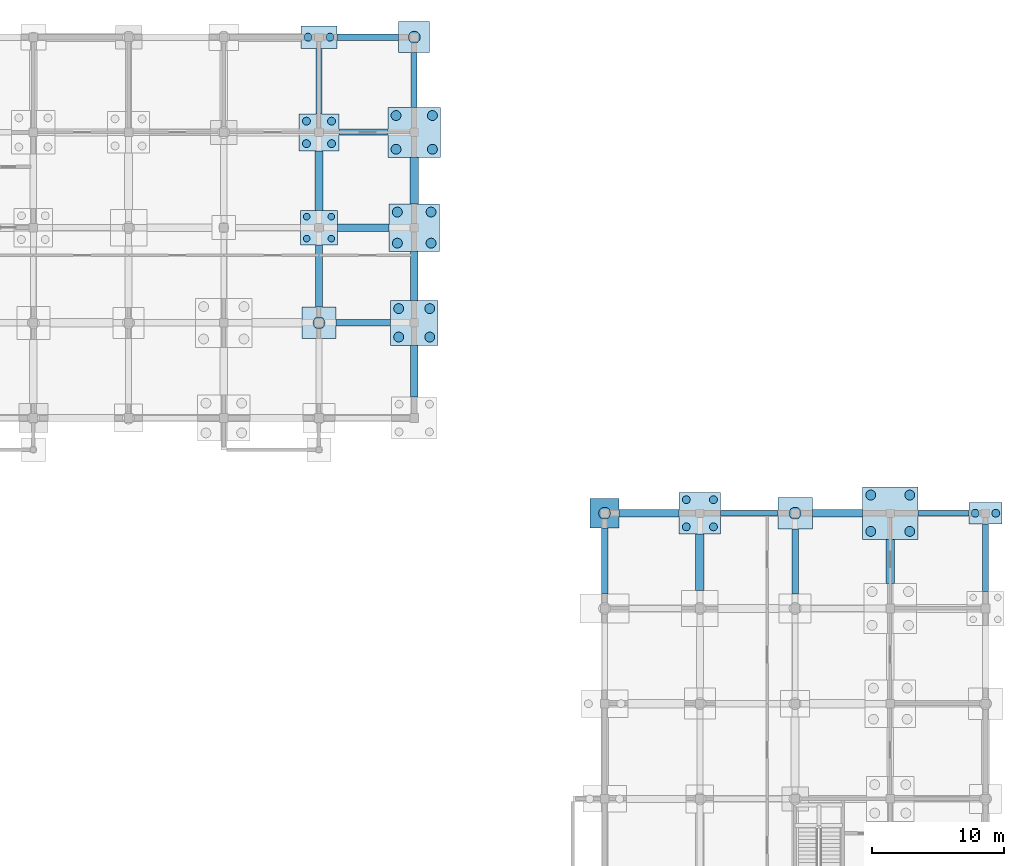
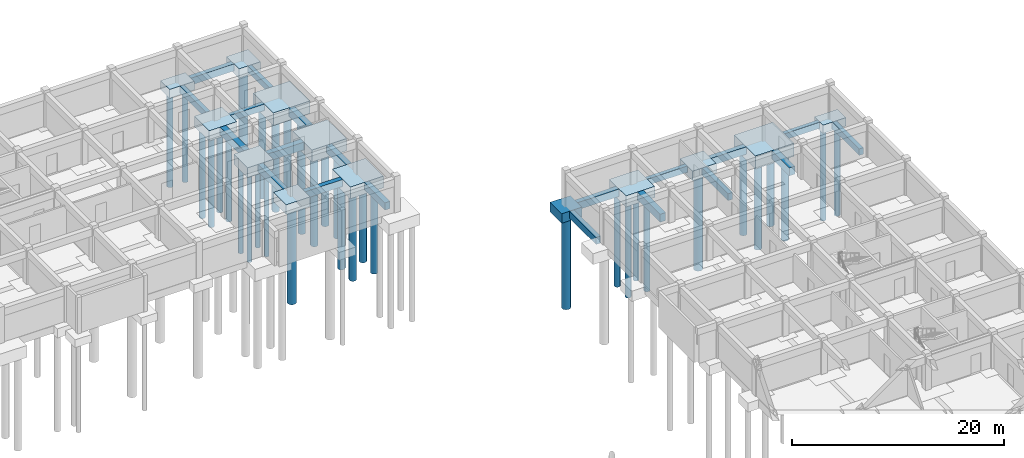
# One storey, part 16 of 38: 36 piles, 33 footings.
"""IFC4 building model written with IfcOpenShell, lengths in metres."""

from ifc_helpers import new_model, si_unit, direction, frame, origin, origin_2d, place, context, subcontext, project, spatial, polyline, rectangle, circle, outline, extrude, material, material_profile, profile_set, type_object, element, save


model = new_model("IFC4")

# Units and contexts
model_context = context("Model", 3, precision=1e-05, world=origin(), true_north=direction((0.0, 1.0)))
body_context = subcontext(model_context, "Body", "Model", "MODEL_VIEW")
ifc_project = project(units=[si_unit("LENGTHUNIT", "METRE"), si_unit("AREAUNIT", "SQUARE_METRE"), si_unit("VOLUMEUNIT", "CUBIC_METRE"), si_unit("PLANEANGLEUNIT", "RADIAN"), si_unit("MASSUNIT", "GRAM", prefix="KILO"), si_unit("THERMODYNAMICTEMPERATUREUNIT", "KELVIN"), si_unit("POWERUNIT", "WATT")], contexts=[model_context])

# Site, building, storey
site_placement = place(None, origin())
site = spatial("IfcSite", under=ifc_project, at=site_placement, CompositionType="ELEMENT")
building_placement = place(site_placement, origin())
building = spatial("IfcBuilding", under=site, at=building_placement, Name="Tavuni Mirador Residences", CompositionType="ELEMENT")
storey_placement = place(building_placement, frame((0.0, 0.0, -4.199951171875)))
storey = spatial("IfcBuildingStorey", under=building, at=storey_placement, Name="B1", CompositionType="ELEMENT", Elevation=-4.199951171875)

# Footings
ifc_material = material(Name="In-situ concrete C35/45", Category="concrete")
footing_type_1 = type_object("IfcFootingType", Name="FT-GB01", PredefinedType="FOOTING_BEAM", material=ifc_material)
footing_1_placement = place(storey_placement, frame((0.0, 0.0, -0.719970703125)))
element("IfcFooting", 1, at=footing_1_placement, inside=storey, type_object=footing_type_1, Name="GBX-BLK-C-08-03", PredefinedType="FOOTING_BEAM", context=body_context, shape_type="SweptSolid", body=[
    extrude(outline(polyline([(69.89990234375, 165.389892578125), (73.60009765625, 165.389892578125), (73.60009765625, 165.81005859375), (69.89990234375, 165.81005859375), (69.89990234375, 165.389892578125)])), origin(), (0.0, 0.0, 1.0), 0.719970703125),
])
footing_2_placement = place(storey_placement, frame((0.0, 0.0, -0.719970703125)))
element("IfcFooting", 2, at=footing_2_placement, inside=storey, type_object=footing_type_1, Name="GBY-BLK-C-09-03", PredefinedType="FOOTING_BEAM", context=body_context, shape_type="SweptSolid", body=[
    extrude(outline(polyline([(75.389892578125, 167.5), (75.81005859375, 167.5), (75.81005859375, 171.625), (75.389892578125, 171.625), (75.389892578125, 167.5)])), origin(), (0.0, 0.0, 1.0), 0.719970703125),
])
footing_3_placement = place(storey_placement, frame((0.0, 0.0, -0.719970703125)))
element("IfcFooting", 3, at=footing_3_placement, inside=storey, type_object=footing_type_1, Name="GBX-BLK-D-01-07", PredefinedType="FOOTING_BEAM", context=body_context, shape_type="SweptSolid", body=[
    extrude(outline(polyline([(98.77490234375, 136.590087890625), (103.10009765625, 136.590087890625), (103.10009765625, 137.010009765625), (98.77490234375, 137.010009765625), (98.77490234375, 136.590087890625)])), origin(), (0.0, 0.0, 1.0), 0.719970703125),
])
footing_4_placement = place(storey_placement, frame((0.0, 0.0, -0.719970703125)))
element("IfcFooting", 4, at=footing_4_placement, inside=storey, type_object=footing_type_1, Name="GBX-BLK-D-03-07", PredefinedType="FOOTING_BEAM", context=body_context, shape_type="SweptSolid", body=[
    extrude(outline(polyline([(113.699951171875, 136.590087890625), (117.550048828125, 136.590087890625), (117.550048828125, 137.010009765625), (113.699951171875, 137.010009765625), (113.699951171875, 136.590087890625)])), origin(), (0.0, 0.0, 1.0), 0.719970703125),
])
footing_type_2 = type_object("IfcFootingType", Name="FT-GB02", PredefinedType="FOOTING_BEAM", material=ifc_material)
footing_5_placement = place(storey_placement, frame((0.0, 0.0, -0.760009765625)))
element("IfcFooting", 5, at=footing_5_placement, inside=storey, type_object=footing_type_2, Name="GBY-BLK-C-08-03", PredefinedType="FOOTING_BEAM", context=body_context, shape_type="SweptSolid", body=[
    extrude(outline(polyline([(68.169921875, 167.0), (68.6298828125, 167.0), (68.6298828125, 171.949951171875), (68.169921875, 171.949951171875), (68.169921875, 167.0)])), origin(), (0.0, 0.0, 1.0), 0.760009765625),
])
footing_6_placement = place(storey_placement, frame((0.0, 0.0, -0.760009765625)))
element("IfcFooting", 6, at=footing_6_placement, inside=storey, type_object=footing_type_2, Name="GBY-BLK-D-04-06", PredefinedType="FOOTING_BEAM", context=body_context, shape_type="SweptSolid", body=[
    extrude(outline(polyline([(118.570068359375, 130.89990234375), (119.030029296875, 130.89990234375), (119.030029296875, 136.0), (118.570068359375, 136.0), (118.570068359375, 130.89990234375)])), origin(), (0.0, 0.0, 1.0), 0.760009765625),
])
footing_type_3 = type_object("IfcFootingType", Name="FT-GB03", PredefinedType="FOOTING_BEAM", material=ifc_material)
footing_7_placement = place(storey_placement, frame((0.0, 0.0, -0.800048828125)))
element("IfcFooting", 7, at=footing_7_placement, inside=storey, type_object=footing_type_3, Name="GBX-BLK-C-08-01", PredefinedType="FOOTING_BEAM", context=body_context, shape_type="SweptSolid", body=[
    extrude(outline(polyline([(69.699951171875, 150.949951171875), (73.800048828125, 150.949951171875), (73.800048828125, 151.449951171875), (69.699951171875, 151.449951171875), (69.699951171875, 150.949951171875)])), origin(), (0.0, 0.0, 1.0), 0.800048828125),
])
footing_8_placement = place(storey_placement, frame((0.0, 0.0, -0.800048828125)))
element("IfcFooting", 8, at=footing_8_placement, inside=storey, type_object=footing_type_3, Name="GBX-BLK-C-08-04", PredefinedType="FOOTING_BEAM", context=body_context, shape_type="SweptSolid", body=[
    extrude(outline(polyline([(69.75, 172.550048828125), (74.425048828125, 172.550048828125), (74.425048828125, 173.050048828125), (69.75, 173.050048828125), (69.75, 172.550048828125)])), origin(), (0.0, 0.0, 1.0), 0.800048828125),
])
footing_9_placement = place(storey_placement, frame((0.0, 0.0, -0.800048828125)))
element("IfcFooting", 9, at=footing_9_placement, inside=storey, type_object=footing_type_3, Name="GBY-BLK-D-00-06", PredefinedType="FOOTING_BEAM", context=body_context, shape_type="SweptSolid", body=[
    extrude(outline(polyline([(89.75, 130.699951171875), (90.25, 130.699951171875), (90.25, 135.699951171875), (89.75, 135.699951171875), (89.75, 130.699951171875)])), origin(), (0.0, 0.0, 1.0), 0.800048828125),
])
footing_10_placement = place(storey_placement, frame((0.0, 0.0, -0.800048828125)))
element("IfcFooting", 10, at=footing_10_placement, inside=storey, type_object=footing_type_3, Name="GBY-BLK-D-02-06", PredefinedType="FOOTING_BEAM", context=body_context, shape_type="SweptSolid", body=[
    extrude(outline(polyline([(104.14990234375, 130.699951171875), (104.64990234375, 130.699951171875), (104.64990234375, 135.60009765625), (104.14990234375, 135.60009765625), (104.14990234375, 130.699951171875)])), origin(), (0.0, 0.0, 1.0), 0.800048828125),
])
footing_type_4 = type_object("IfcFootingType", Name="FT-GB04", PredefinedType="FOOTING_BEAM", material=ifc_material)
footing_11_placement = place(storey_placement, frame((0.0, 0.0, -0.840087890625)))
element("IfcFooting", 11, at=footing_11_placement, inside=storey, type_object=footing_type_4, Name="GBY-BLK-C-08-01", PredefinedType="FOOTING_BEAM", context=body_context, shape_type="SweptSolid", body=[
    extrude(outline(polyline([(68.1298828125, 152.39990234375), (68.669921875, 152.39990234375), (68.669921875, 157.10009765625), (68.1298828125, 157.10009765625), (68.1298828125, 152.39990234375)])), origin(), (0.0, 0.0, 1.0), 0.840087890625),
])
footing_12_placement = place(storey_placement, frame((0.0, 0.0, -0.840087890625)))
element("IfcFooting", 12, at=footing_12_placement, inside=storey, type_object=footing_type_4, Name="GBY-BLK-C-09-00", PredefinedType="FOOTING_BEAM", context=body_context, shape_type="SweptSolid", body=[
    extrude(outline(polyline([(75.330078125, 145.60009765625), (75.8701171875, 145.60009765625), (75.8701171875, 149.5), (75.330078125, 149.5), (75.330078125, 145.60009765625)])), origin(), (0.0, 0.0, 1.0), 0.840087890625),
])
footing_13_placement = place(storey_placement, frame((0.0, 0.0, -0.840087890625)))
element("IfcFooting", 13, at=footing_13_placement, inside=storey, type_object=footing_type_4, Name="GBX-BLK-D-00-07", PredefinedType="FOOTING_BEAM", context=body_context, shape_type="SweptSolid", body=[
    extrude(outline(polyline([(91.10009765625, 136.530029296875), (95.625, 136.530029296875), (95.625, 137.070068359375), (91.10009765625, 137.070068359375), (91.10009765625, 136.530029296875)])), origin(), (0.0, 0.0, 1.0), 0.840087890625),
])
footing_14_placement = place(storey_placement, frame((0.0, 0.0, -0.840087890625)))
element("IfcFooting", 14, at=footing_14_placement, inside=storey, type_object=footing_type_4, Name="GBX-BLK-D-02-07", PredefinedType="FOOTING_BEAM", context=body_context, shape_type="SweptSolid", body=[
    extrude(outline(polyline([(105.699951171875, 136.530029296875), (109.5, 136.530029296875), (109.5, 137.070068359375), (105.699951171875, 137.070068359375), (105.699951171875, 136.530029296875)])), origin(), (0.0, 0.0, 1.0), 0.840087890625),
])
footing_type_5 = type_object("IfcFootingType", Name="FT-GB05", PredefinedType="FOOTING_BEAM", material=ifc_material)
footing_15_placement = place(storey_placement, frame((0.0, 0.0, -0.880126953125)))
element("IfcFooting", 15, at=footing_15_placement, inside=storey, type_object=footing_type_5, Name="GBX-BLK-C-08-02", PredefinedType="FOOTING_BEAM", context=body_context, shape_type="SweptSolid", body=[
    extrude(outline(polyline([(69.800048828125, 158.110107421875), (73.699951171875, 158.110107421875), (73.699951171875, 158.68994140625), (69.800048828125, 158.68994140625), (69.800048828125, 158.110107421875)])), origin(), (0.0, 0.0, 1.0), 0.880126953125),
])
footing_16_placement = place(storey_placement, frame((0.0, 0.0, -0.880126953125)))
element("IfcFooting", 16, at=footing_16_placement, inside=storey, type_object=footing_type_5, Name="GBY-BLK-C-09-01", PredefinedType="FOOTING_BEAM", context=body_context, shape_type="SweptSolid", body=[
    extrude(outline(polyline([(75.31005859375, 152.89990234375), (75.889892578125, 152.89990234375), (75.889892578125, 156.60009765625), (75.31005859375, 156.60009765625), (75.31005859375, 152.89990234375)])), origin(), (0.0, 0.0, 1.0), 0.880126953125),
])
footing_type_6 = type_object("IfcFootingType", Name="FT-GB06", PredefinedType="FOOTING_BEAM", material=ifc_material)
footing_17_placement = place(storey_placement, frame((0.0, 0.0, -0.920166015625)))
element("IfcFooting", 17, at=footing_17_placement, inside=storey, type_object=footing_type_6, Name="GBY-BLK-C-08-02", PredefinedType="FOOTING_BEAM", context=body_context, shape_type="SweptSolid", body=[
    extrude(outline(polyline([(68.090087890625, 159.699951171875), (68.7099609375, 159.699951171875), (68.7099609375, 164.199951171875), (68.090087890625, 164.199951171875), (68.090087890625, 159.699951171875)])), origin(), (0.0, 0.0, 1.0), 0.920166015625),
])
footing_18_placement = place(storey_placement, frame((0.0, 0.0, -0.920166015625)))
element("IfcFooting", 18, at=footing_18_placement, inside=storey, type_object=footing_type_6, Name="GBY-BLK-C-09-02", PredefinedType="FOOTING_BEAM", context=body_context, shape_type="SweptSolid", body=[
    extrude(outline(polyline([(75.2900390625, 160.199951171875), (75.909912109375, 160.199951171875), (75.909912109375, 163.699951171875), (75.2900390625, 163.699951171875), (75.2900390625, 160.199951171875)])), origin(), (0.0, 0.0, 1.0), 0.920166015625),
])
footing_19_placement = place(storey_placement, frame((0.0, 0.0, -0.920166015625)))
element("IfcFooting", 19, at=footing_19_placement, inside=storey, type_object=footing_type_6, Name="GBY-BLK-D-01-06", PredefinedType="FOOTING_BEAM", context=body_context, shape_type="SweptSolid", body=[
    extrude(outline(polyline([(96.889892578125, 130.97509765625), (97.510009765625, 130.97509765625), (97.510009765625, 135.22509765625), (96.889892578125, 135.22509765625), (96.889892578125, 130.97509765625)])), origin(), (0.0, 0.0, 1.0), 0.920166015625),
])
footing_20_placement = place(storey_placement, frame((0.0, 0.0, -0.920166015625)))
element("IfcFooting", 20, at=footing_20_placement, inside=storey, type_object=footing_type_6, Name="GBY-BLK-D-03-06", PredefinedType="FOOTING_BEAM", context=body_context, shape_type="SweptSolid", body=[
    extrude(outline(polyline([(111.2900390625, 131.5), (111.909912109375, 131.5), (111.909912109375, 134.800048828125), (111.2900390625, 134.800048828125), (111.2900390625, 131.5)])), origin(), (0.0, 0.0, 1.0), 0.920166015625),
])
footing_type_7 = type_object("IfcFootingType", Name="FT-PC05", PredefinedType="PILE_CAP", material=ifc_material)
for number, where, z_axis, x_axis, name in (
    (21, (68.39990234375, 151.199951171875, -1.10009765625), (0.0, 0.0, 1.0), (1.0, 0.0, 0.0), "CAP-BLK-C-08-01"),
    (22, (104.39990234375, 136.800048828125, -1.10009765625), (0.0, 0.0, 1.0), (1.0, 0.0, 0.0), "CAP-BLK-D-02-07"),
):
    element("IfcFooting", number, at=place(storey_placement, frame(where, z_axis=z_axis, x_axis=x_axis)), inside=storey, type_object=footing_type_7, Name=name, PredefinedType="PILE_CAP", context=body_context, shape_type="SweptSolid", body=[
        extrude(rectangle(XDim=2.60009765625, YDim=2.39990234375, at=origin_2d()), origin(), (0.0, 0.0, 1.0), 1.10009765625),
    ])
footing_type_8 = type_object("IfcFootingType", Name="FT-PC06", PredefinedType="PILE_CAP", material=ifc_material)
footing_21_placement = place(storey_placement, frame((68.39990234375, 158.39990234375, -1.14990234375), z_axis=(0.0, 0.0, 1.0), x_axis=(1.0, 0.0, 0.0)))
element("IfcFooting", 23, at=footing_21_placement, inside=storey, type_object=footing_type_8, Name="CAP-BLK-C-08-02", PredefinedType="PILE_CAP", context=body_context, shape_type="SweptSolid", body=[
    extrude(rectangle(XDim=2.800048828125, YDim=2.60009765625, at=origin_2d()), origin(), (0.0, 0.0, 1.0), 1.14990234375),
])
footing_type_9 = type_object("IfcFootingType", Name="FT-PC07", PredefinedType="PILE_CAP", material=ifc_material)
footing_22_placement = place(storey_placement, frame((68.39990234375, 165.60009765625, -1.2001953125), z_axis=(0.0, 0.0, 1.0), x_axis=(1.0, 0.0, 0.0)))
element("IfcFooting", 24, at=footing_22_placement, inside=storey, type_object=footing_type_9, Name="CAP-BLK-C-08-03", PredefinedType="PILE_CAP", context=body_context, shape_type="SweptSolid", body=[
    extrude(rectangle(XDim=3.0, YDim=2.800048828125, at=origin_2d()), origin(), (0.0, 0.0, 1.0), 1.199951171875),
])
footing_type_10 = type_object("IfcFootingType", Name="FT-PC10", PredefinedType="PILE_CAP", material=ifc_material)
footing_23_placement = place(storey_placement, frame((75.60009765625, 151.199951171875, -1.35009765625), z_axis=(0.0, 0.0, 1.0), x_axis=(1.0, 0.0, 0.0)))
element("IfcFooting", 25, at=footing_23_placement, inside=storey, type_object=footing_type_10, Name="CAP-BLK-C-09-01", PredefinedType="PILE_CAP", context=body_context, shape_type="SweptSolid", body=[
    extrude(rectangle(XDim=3.60009765625, YDim=3.39990234375, at=origin_2d()), origin(), (0.0, 0.0, 1.0), 1.35009765625),
])
footing_type_11 = type_object("IfcFootingType", Name="FT-PC11", PredefinedType="PILE_CAP", material=ifc_material)
footing_24_placement = place(storey_placement, frame((75.60009765625, 158.39990234375, -1.39990234375), z_axis=(0.0, 0.0, 1.0), x_axis=(1.0, 0.0, 0.0)))
element("IfcFooting", 26, at=footing_24_placement, inside=storey, type_object=footing_type_11, Name="CAP-BLK-C-09-02", PredefinedType="PILE_CAP", context=body_context, shape_type="SweptSolid", body=[
    extrude(rectangle(XDim=3.800048828125, YDim=3.60009765625, at=origin_2d()), origin(), (0.0, 0.0, 1.0), 1.39990234375),
])
footing_type_12 = type_object("IfcFootingType", Name="FT-PC12", PredefinedType="PILE_CAP", material=ifc_material)
footing_25_placement = place(storey_placement, frame((75.60009765625, 165.60009765625, -1.4501953125), z_axis=(0.0, 0.0, 1.0), x_axis=(1.0, 0.0, 0.0)))
element("IfcFooting", 27, at=footing_25_placement, inside=storey, type_object=footing_type_12, Name="CAP-BLK-C-09-03", PredefinedType="PILE_CAP", context=body_context, shape_type="SweptSolid", body=[
    extrude(rectangle(XDim=4.0, YDim=3.800048828125, at=origin_2d()), origin(), (0.0, 0.0, 1.0), 1.449951171875),
])
footing_type_13 = type_object("IfcFootingType", Name="FT-PC13", PredefinedType="PILE_CAP", material=ifc_material)
footing_26_placement = place(storey_placement, frame((111.60009765625, 136.800048828125, -1.5), z_axis=(0.0, 0.0, 1.0), x_axis=(1.0, 0.0, 0.0)))
element("IfcFooting", 28, at=footing_26_placement, inside=storey, type_object=footing_type_13, Name="CAP-BLK-D-03-07", PredefinedType="PILE_CAP", context=body_context, shape_type="SweptSolid", body=[
    extrude(rectangle(XDim=4.199951171875, YDim=4.0, at=origin_2d()), origin(), (0.0, 0.0, 1.0), 1.5),
])
footing_type_14 = type_object("IfcFootingType", Name="FT-PC14", PredefinedType="PILE_CAP", material=ifc_material)
footing_27_placement = place(storey_placement, frame((118.800048828125, 136.800048828125, -0.9501953125), z_axis=(0.0, 0.0, 1.0), x_axis=(1.0, 0.0, 0.0)))
element("IfcFooting", 29, at=footing_27_placement, inside=storey, type_object=footing_type_14, Name="CAP-BLK-D-04-07", PredefinedType="PILE_CAP", context=body_context, shape_type="SweptSolid", body=[
    extrude(rectangle(XDim=2.5, YDim=1.60009765625, at=origin_2d()), origin(), (0.0, 0.0, 1.0), 0.949951171875),
])
footing_type_15 = type_object("IfcFootingType", Name="FT-PC15", PredefinedType="PILE_CAP", material=ifc_material)
footing_28_placement = place(storey_placement, frame((68.39990234375, 172.800048828125, -1.0), z_axis=(0.0, 0.0, 1.0), x_axis=(1.0, 0.0, 0.0)))
element("IfcFooting", 30, at=footing_28_placement, inside=storey, type_object=footing_type_15, Name="CAP-BLK-C-08-04", PredefinedType="PILE_CAP", context=body_context, shape_type="SweptSolid", body=[
    extrude(rectangle(XDim=2.699951171875, YDim=1.699951171875, at=origin_2d()), origin(), (0.0, 0.0, 1.0), 1.0),
])
footing_type_16 = type_object("IfcFootingType", Name="FT-PC21", PredefinedType="PILE_CAP", material=ifc_material)
footing_29_placement = place(storey_placement, frame((90.0, 136.800048828125, -1.10009765625), z_axis=(0.0, 0.0, 1.0), x_axis=(1.0, 0.0, 0.0)))
element("IfcFooting", 31, at=footing_29_placement, inside=storey, type_object=footing_type_16, Name="CAP-BLK-D-00-07", PredefinedType="PILE_CAP", context=body_context, shape_type="SweptSolid", body=[
    extrude(rectangle(XDim=2.199951171875, YDim=2.199951171875, at=origin_2d()), origin(), (0.0, 0.0, 1.0), 1.10009765625),
])
footing_type_17 = type_object("IfcFootingType", Name="FT-PC27", PredefinedType="PILE_CAP", material=ifc_material)
footing_30_placement = place(storey_placement, frame((75.60009765625, 172.800048828125, -1.06005859375), z_axis=(0.0, 0.0, 1.0), x_axis=(1.0, 0.0, 0.0)))
element("IfcFooting", 32, at=footing_30_placement, inside=storey, type_object=footing_type_17, Name="CAP-BLK-C-09-04", PredefinedType="PILE_CAP", context=body_context, shape_type="SweptSolid", body=[
    extrude(rectangle(XDim=2.35009765625, YDim=2.35009765625, at=origin_2d()), origin(), (0.0, 0.0, 1.0), 1.06005859375),
])
footing_type_18 = type_object("IfcFootingType", Name="FT-PC29", PredefinedType="PILE_CAP", material=ifc_material)
footing_31_placement = place(storey_placement, frame((97.199951171875, 136.800048828125, -1.2802734375), z_axis=(0.0, 0.0, 1.0), x_axis=(1.0, 0.0, 0.0)))
element("IfcFooting", 33, at=footing_31_placement, inside=storey, type_object=footing_type_18, Name="CAP-BLK-D-01-07", PredefinedType="PILE_CAP", context=body_context, shape_type="SweptSolid", body=[
    extrude(rectangle(XDim=3.14990234375, YDim=3.14990234375, at=origin_2d()), origin(), (0.0, 0.0, 1.0), 1.280029296875),
])

# Piles
ifc_material_profile_1 = material_profile(ifc_material, circle(Radius=0.25, at=origin_2d()), Name="PILE D500", Category="concrete")
ifc_profile_set_1 = profile_set([ifc_material_profile_1], Name="In-situ concrete C35/45")
pile_type_1 = type_object("IfcPileType", Name="PT-D500", PredefinedType="BORED", material=ifc_profile_set_1)
for number, where, z_axis, x_axis, name in (
    (34, (67.469970703125, 157.570068359375, -1.150146484375), (0.0, 0.0, -1.0), (1.0, 0.0, 0.0), "PIL-BLK-C-08-02-1"),
    (35, (69.330078125, 157.570068359375, -1.150146484375), (0.0, 0.0, -1.0), (1.0, 0.0, 0.0), "PIL-BLK-C-08-02-2"),
    (36, (67.469970703125, 159.22998046875, -1.150146484375), (0.0, 0.0, -1.0), (1.0, 0.0, 0.0), "PIL-BLK-C-08-02-3"),
    (37, (69.330078125, 159.22998046875, -1.150146484375), (0.0, 0.0, -1.0), (1.0, 0.0, 0.0), "PIL-BLK-C-08-02-4"),
):
    element("IfcPile", number, at=place(storey_placement, frame(where, z_axis=z_axis, x_axis=x_axis)), inside=storey, type_object=pile_type_1, Name=name, PredefinedType="BORED", context=body_context, shape_type="SweptSolid", body=[
        extrude(circle(Radius=0.25, at=origin_2d()), origin(), (0.0, 0.0, 1.0), 10.050048828125),
    ])
ifc_material_profile_2 = material_profile(ifc_material, circle(Radius=0.300048828125, at=origin_2d()), Name="PILE D600", Category="concrete")
ifc_profile_set_2 = profile_set([ifc_material_profile_2], Name="In-situ concrete C35/45")
pile_type_2 = type_object("IfcPileType", Name="PT-D600", PredefinedType="BORED", material=ifc_profile_set_2)
for number, where, z_axis, x_axis, name in (
    (38, (67.449951171875, 164.75, -1.199951171875), (0.0, 0.0, -1.0), (1.0, 0.0, 0.0), "PIL-BLK-C-08-03-1"),
    (39, (69.35009765625, 164.75, -1.199951171875), (0.0, 0.0, -1.0), (1.0, 0.0, 0.0), "PIL-BLK-C-08-03-2"),
    (40, (67.449951171875, 166.449951171875, -1.199951171875), (0.0, 0.0, -1.0), (1.0, 0.0, 0.0), "PIL-BLK-C-08-03-3"),
    (41, (69.35009765625, 166.449951171875, -1.199951171875), (0.0, 0.0, -1.0), (1.0, 0.0, 0.0), "PIL-BLK-C-08-03-4"),
):
    element("IfcPile", number, at=place(storey_placement, frame(where, z_axis=z_axis, x_axis=x_axis)), inside=storey, type_object=pile_type_2, Name=name, PredefinedType="BORED", context=body_context, shape_type="SweptSolid", body=[
        extrude(circle(Radius=0.300048828125, at=origin_2d()), origin(), (0.0, 0.0, 1.0), 10.300048828125),
    ])
for number, where, z_axis, x_axis, name in (
    (42, (67.570068359375, 172.800048828125, -1.0), (0.0, 0.0, -1.0), (1.0, 0.0, 0.0), "PIL-BLK-C-08-04-1"),
    (43, (69.22998046875, 172.800048828125, -1.0), (0.0, 0.0, -1.0), (1.0, 0.0, 0.0), "PIL-BLK-C-08-04-2"),
):
    element("IfcPile", number, at=place(storey_placement, frame(where, z_axis=z_axis, x_axis=x_axis)), inside=storey, type_object=pile_type_2, Name=name, PredefinedType="BORED", context=body_context, shape_type="SweptSolid", body=[
        extrude(circle(Radius=0.300048828125, at=origin_2d()), origin(), (0.0, 0.0, 1.0), 10.800048828125),
    ])
for number, where, z_axis, x_axis, name in (
    (44, (96.175048828125, 135.77490234375, -1.280029296875), (0.0, 0.0, -1.0), (1.0, 0.0, 0.0), "PIL-BLK-D-01-07-1"),
    (45, (98.22509765625, 135.77490234375, -1.280029296875), (0.0, 0.0, -1.0), (1.0, 0.0, 0.0), "PIL-BLK-D-01-07-2"),
    (46, (96.175048828125, 137.824951171875, -1.280029296875), (0.0, 0.0, -1.0), (1.0, 0.0, 0.0), "PIL-BLK-D-01-07-3"),
    (47, (98.22509765625, 137.824951171875, -1.280029296875), (0.0, 0.0, -1.0), (1.0, 0.0, 0.0), "PIL-BLK-D-01-07-4"),
):
    element("IfcPile", number, at=place(storey_placement, frame(where, z_axis=z_axis, x_axis=x_axis)), inside=storey, type_object=pile_type_2, Name=name, PredefinedType="BORED", context=body_context, shape_type="SweptSolid", body=[
        extrude(circle(Radius=0.300048828125, at=origin_2d()), origin(), (0.0, 0.0, 1.0), 10.820068359375),
    ])
for number, where, z_axis, x_axis, name in (
    (48, (118.02001953125, 136.800048828125, -0.949951171875), (0.0, 0.0, -1.0), (1.0, 0.0, 0.0), "PIL-BLK-D-04-07-1"),
    (49, (119.580078125, 136.800048828125, -0.949951171875), (0.0, 0.0, -1.0), (1.0, 0.0, 0.0), "PIL-BLK-D-04-07-2"),
):
    element("IfcPile", number, at=place(storey_placement, frame(where, z_axis=z_axis, x_axis=x_axis)), inside=storey, type_object=pile_type_2, Name=name, PredefinedType="BORED", context=body_context, shape_type="SweptSolid", body=[
        extrude(circle(Radius=0.300048828125, at=origin_2d()), origin(), (0.0, 0.0, 1.0), 10.550048828125),
    ])
ifc_material_profile_3 = material_profile(ifc_material, circle(Radius=0.375, at=origin_2d()), Name="PILE D750", Category="concrete")
ifc_profile_set_3 = profile_set([ifc_material_profile_3], Name="In-situ concrete C35/45")
pile_type_3 = type_object("IfcPileType", Name="PT-D750", PredefinedType="BORED", material=ifc_profile_set_3)
for number, where, z_axis, x_axis, name in (
    (50, (74.425048828125, 150.125, -1.35009765625), (0.0, 0.0, -1.0), (1.0, 0.0, 0.0), "PIL-BLK-C-09-01-1"),
    (51, (76.77490234375, 150.125, -1.35009765625), (0.0, 0.0, -1.0), (1.0, 0.0, 0.0), "PIL-BLK-C-09-01-2"),
    (52, (74.425048828125, 152.27490234375, -1.35009765625), (0.0, 0.0, -1.0), (1.0, 0.0, 0.0), "PIL-BLK-C-09-01-3"),
    (53, (76.77490234375, 152.27490234375, -1.35009765625), (0.0, 0.0, -1.0), (1.0, 0.0, 0.0), "PIL-BLK-C-09-01-4"),
):
    element("IfcPile", number, at=place(storey_placement, frame(where, z_axis=z_axis, x_axis=x_axis)), inside=storey, type_object=pile_type_3, Name=name, PredefinedType="BORED", context=body_context, shape_type="SweptSolid", body=[
        extrude(circle(Radius=0.375, at=origin_2d()), origin(), (0.0, 0.0, 1.0), 9.85009765625),
    ])
for number, where, z_axis, x_axis, name in (
    (54, (74.324951171875, 157.22509765625, -1.400146484375), (0.0, 0.0, -1.0), (1.0, 0.0, 0.0), "PIL-BLK-C-09-02-1"),
    (55, (76.875, 157.22509765625, -1.400146484375), (0.0, 0.0, -1.0), (1.0, 0.0, 0.0), "PIL-BLK-C-09-02-2"),
    (56, (74.324951171875, 159.574951171875, -1.400146484375), (0.0, 0.0, -1.0), (1.0, 0.0, 0.0), "PIL-BLK-C-09-02-3"),
    (57, (76.875, 159.574951171875, -1.400146484375), (0.0, 0.0, -1.0), (1.0, 0.0, 0.0), "PIL-BLK-C-09-02-4"),
):
    element("IfcPile", number, at=place(storey_placement, frame(where, z_axis=z_axis, x_axis=x_axis)), inside=storey, type_object=pile_type_3, Name=name, PredefinedType="BORED", context=body_context, shape_type="SweptSolid", body=[
        extrude(circle(Radius=0.375, at=origin_2d()), origin(), (0.0, 0.0, 1.0), 10.10009765625),
    ])
for number, where, z_axis, x_axis, name in (
    (58, (74.22509765625, 164.324951171875, -1.449951171875), (0.0, 0.0, -1.0), (1.0, 0.0, 0.0), "PIL-BLK-C-09-03-1"),
    (59, (76.97509765625, 164.324951171875, -1.449951171875), (0.0, 0.0, -1.0), (1.0, 0.0, 0.0), "PIL-BLK-C-09-03-2"),
    (60, (74.22509765625, 166.875, -1.449951171875), (0.0, 0.0, -1.0), (1.0, 0.0, 0.0), "PIL-BLK-C-09-03-3"),
    (61, (76.97509765625, 166.875, -1.449951171875), (0.0, 0.0, -1.0), (1.0, 0.0, 0.0), "PIL-BLK-C-09-03-4"),
):
    element("IfcPile", number, at=place(storey_placement, frame(where, z_axis=z_axis, x_axis=x_axis)), inside=storey, type_object=pile_type_3, Name=name, PredefinedType="BORED", context=body_context, shape_type="SweptSolid", body=[
        extrude(circle(Radius=0.375, at=origin_2d()), origin(), (0.0, 0.0, 1.0), 10.35009765625),
    ])
for number, where, z_axis, x_axis, name in (
    (62, (110.125, 135.425048828125, -1.5), (0.0, 0.0, -1.0), (1.0, 0.0, 0.0), "PIL-BLK-D-03-07-1"),
    (63, (113.074951171875, 135.425048828125, -1.5), (0.0, 0.0, -1.0), (1.0, 0.0, 0.0), "PIL-BLK-D-03-07-2"),
    (64, (110.125, 138.175048828125, -1.5), (0.0, 0.0, -1.0), (1.0, 0.0, 0.0), "PIL-BLK-D-03-07-3"),
    (65, (113.074951171875, 138.175048828125, -1.5), (0.0, 0.0, -1.0), (1.0, 0.0, 0.0), "PIL-BLK-D-03-07-4"),
):
    element("IfcPile", number, at=place(storey_placement, frame(where, z_axis=z_axis, x_axis=x_axis)), inside=storey, type_object=pile_type_3, Name=name, PredefinedType="BORED", context=body_context, shape_type="SweptSolid", body=[
        extrude(circle(Radius=0.375, at=origin_2d()), origin(), (0.0, 0.0, 1.0), 9.699951171875),
    ])
ifc_material_profile_4 = material_profile(ifc_material, circle(Radius=0.449951171875, at=origin_2d()), Name="PILE D900", Category="concrete")
ifc_profile_set_4 = profile_set([ifc_material_profile_4], Name="In-situ concrete C35/45")
pile_type_4 = type_object("IfcPileType", Name="PT-D900", PredefinedType="BORED", material=ifc_profile_set_4)
pile_1_placement = place(storey_placement, frame((68.39990234375, 151.199951171875, -1.10009765625), z_axis=(0.0, 0.0, -1.0), x_axis=(1.0, 0.0, 0.0)))
element("IfcPile", 66, at=pile_1_placement, inside=storey, type_object=pile_type_4, Name="PIL-BLK-C-08-01-1", PredefinedType="BORED", context=body_context, shape_type="SweptSolid", body=[
    extrude(circle(Radius=0.449951171875, at=origin_2d()), origin(), (0.0, 0.0, 1.0), 11.300048828125),
])
pile_2_placement = place(storey_placement, frame((75.60009765625, 172.800048828125, -1.06005859375), z_axis=(0.0, 0.0, -1.0), x_axis=(1.0, 0.0, 0.0)))
element("IfcPile", 67, at=pile_2_placement, inside=storey, type_object=pile_type_4, Name="PIL-BLK-C-09-04-1", PredefinedType="BORED", context=body_context, shape_type="SweptSolid", body=[
    extrude(circle(Radius=0.449951171875, at=origin_2d()), origin(), (0.0, 0.0, 1.0), 11.0400390625),
])
pile_3_placement = place(storey_placement, frame((90.0, 136.800048828125, -1.10009765625), z_axis=(0.0, 0.0, -1.0), x_axis=(1.0, 0.0, 0.0)))
element("IfcPile", 68, at=pile_3_placement, inside=storey, type_object=pile_type_4, Name="PIL-BLK-D-00-07-1", PredefinedType="BORED", context=body_context, shape_type="SweptSolid", body=[
    extrude(circle(Radius=0.449951171875, at=origin_2d()), origin(), (0.0, 0.0, 1.0), 10.699951171875),
])
pile_4_placement = place(storey_placement, frame((104.39990234375, 136.800048828125, -1.10009765625), z_axis=(0.0, 0.0, -1.0), x_axis=(1.0, 0.0, 0.0)))
element("IfcPile", 69, at=pile_4_placement, inside=storey, type_object=pile_type_4, Name="PIL-BLK-D-02-07-1", PredefinedType="BORED", context=body_context, shape_type="SweptSolid", body=[
    extrude(circle(Radius=0.449951171875, at=origin_2d()), origin(), (0.0, 0.0, 1.0), 11.300048828125),
])

save(model, "model.ifc")
